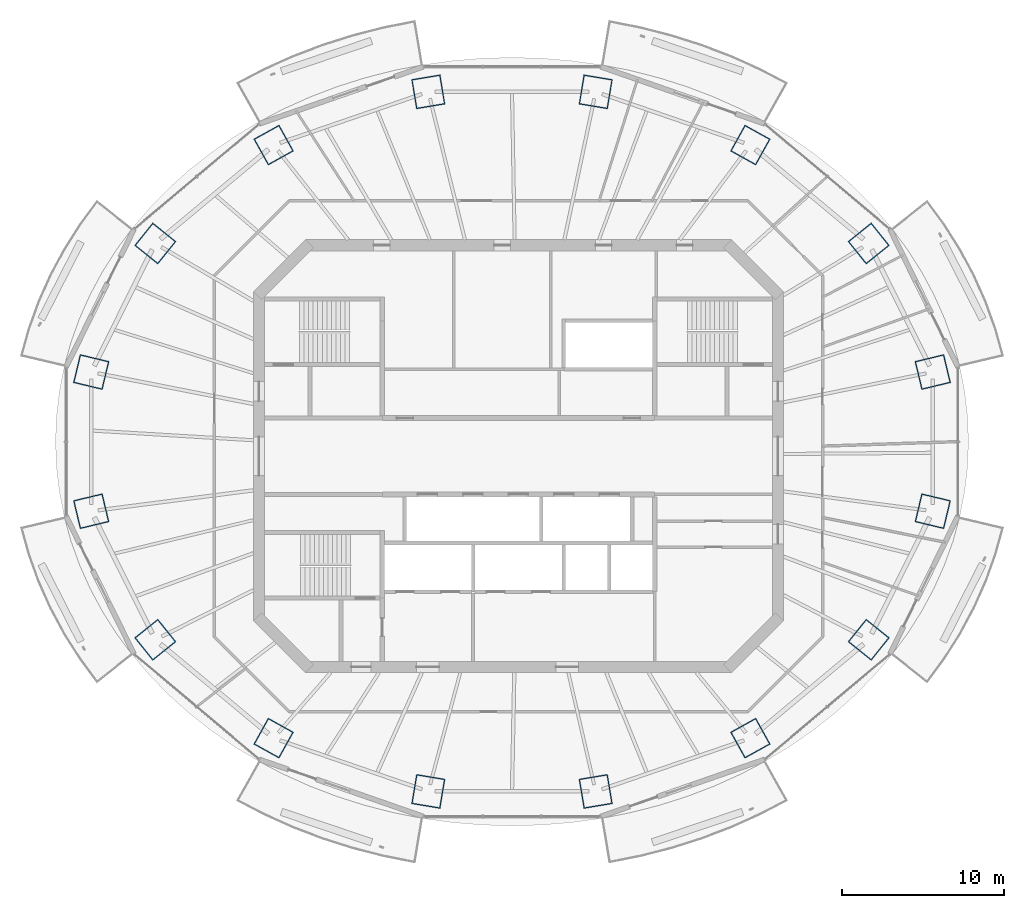
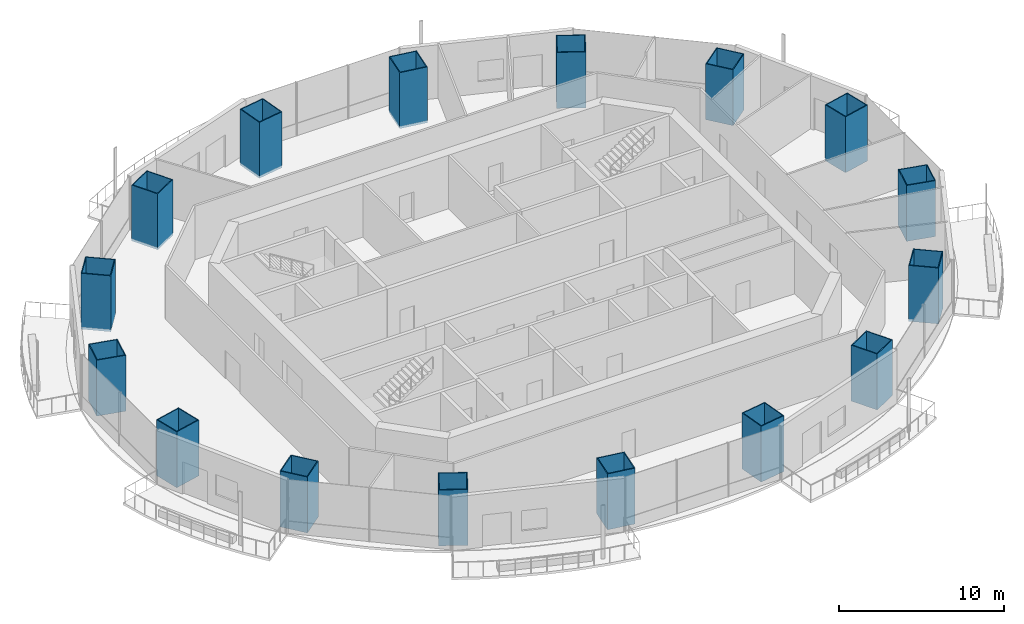
# One storey, part 1 of 16: 16 columns.
"""IFC4 building model written with IfcOpenShell, lengths in metres."""

from ifc_helpers import new_model, si_unit, direction, frame, origin, origin_2d, place, context, subcontext, project, spatial, rectangle, hollow_rectangle, extrude, material, material_profile, profile_set, type_object, element, save


model = new_model("IFC4")

# Units and contexts
model_context = context("Model", 3, precision=1e-05, world=origin(), true_north=direction((0.0, 1.0)))
body_context = subcontext(model_context, "Body", "Model", "MODEL_VIEW")
ifc_project = project(units=[si_unit("LENGTHUNIT", "METRE"), si_unit("AREAUNIT", "SQUARE_METRE"), si_unit("VOLUMEUNIT", "CUBIC_METRE"), si_unit("PLANEANGLEUNIT", "RADIAN"), si_unit("MASSUNIT", "GRAM", prefix="KILO")], contexts=[model_context])

# Site, building, storey
site_placement = place(None, origin())
site = spatial("IfcSite", under=ifc_project, at=site_placement, CompositionType="ELEMENT")
building_placement = place(site_placement, origin())
building = spatial("IfcBuilding", under=site, at=building_placement, Name="Marenthal Gate Tower", CompositionType="ELEMENT")
storey_placement = place(building_placement, frame((0.0, 0.0, 309.39990234375)))
storey = spatial("IfcBuildingStorey", under=building, at=storey_placement, Name="L69", CompositionType="ELEMENT", Elevation=309.39990234375)

# Columns
ifc_material_1 = material(Name="Steel S460", Category="steel")
ifc_material_profile_1 = material_profile(ifc_material_1, hollow_rectangle(XDim=1.800048828125, YDim=1.85009765625, WallThickness=0.06005859375, at=origin_2d()), Name="CFT BOX 1850X1800X60")
ifc_material_2 = material(Name="Concrete 70 MPa", Category="concrete")
ifc_material_profile_2 = material_profile(ifc_material_2, rectangle(XDim=1.679931640625, YDim=1.72998046875, at=origin_2d()), Name="CFT BOX 1850X1800X60 INFILL")
ifc_profile_set = profile_set([ifc_material_profile_1, ifc_material_profile_2], Name="Steel S460 shell, Concrete 70 MPa infill")
column_type = type_object("IfcColumnType", Name="CFT BOX 1850X1800X60", PredefinedType="COLUMN", material=ifc_profile_set)
for number, where, z_axis, x_axis, name in (
    (1, (25.545654296875, 5.1904296875, -0.179931640625), (0.0, 0.0, 1.0), (0.232701963435, -0.97254809455, 0.0), "COL-L69-01"),
    (2, (21.595703125, 13.1181640625, -0.179931640625), (0.0, 0.0, 1.0), (0.626474583624, -0.779441849065, 0.0), "COL-L69-02"),
    (3, (14.297119140625, 19.185791015625, -0.179931640625), (0.0, 0.0, 1.0), (0.874186127954, -0.485590994245, 0.0), "COL-L69-03"),
    (4, (4.760986328125, 22.469482421875, -0.179931640625), (0.0, 0.0, 1.0), (0.986601791343, -0.163146882654, 0.0), "COL-L69-04"),
    (5, (-5.560791015625, 22.469482421875, -0.179931640625), (0.0, 0.0, 1.0), (0.986601791343, 0.163146882654, 0.0), "COL-L69-05"),
    (6, (-15.09716796875, 19.185791015625, -0.179931640625), (0.0, 0.0, 1.0), (0.874186127954, 0.485590994245, 0.0), "COL-L69-06"),
    (7, (-22.395751953125, 13.1181640625, -0.179931640625), (0.0, 0.0, 1.0), (0.626474583624, 0.779441849065, 0.0), "COL-L69-07"),
    (8, (-26.345703125, 5.1904296875, -0.179931640625), (0.0, 0.0, 1.0), (0.232701963435, 0.97254809455, 0.0), "COL-L69-08"),
    (9, (-26.345703125, -3.390380859375, -0.179931640625), (0.0, 0.0, 1.0), (-0.232701963435, 0.97254809455, 0.0), "COL-L69-09"),
    (10, (-22.395751953125, -11.318115234375, -0.179931640625), (0.0, 0.0, 1.0), (-0.626474583624, 0.779441849065, 0.0), "COL-L69-10"),
    (11, (-15.09716796875, -17.3857421875, -0.179931640625), (0.0, 0.0, 1.0), (-0.874186127954, 0.485590994245, 0.0), "COL-L69-11"),
    (12, (-5.560791015625, -20.66943359375, -0.179931640625), (0.0, 0.0, 1.0), (-0.986601791343, 0.163146882654, 0.0), "COL-L69-12"),
    (13, (4.760986328125, -20.66943359375, -0.179931640625), (0.0, 0.0, 1.0), (-0.986601791343, -0.163146882654, 0.0), "COL-L69-13"),
    (14, (14.297119140625, -17.3857421875, -0.179931640625), (0.0, 0.0, 1.0), (-0.874186127954, -0.485590994245, 0.0), "COL-L69-14"),
    (15, (21.595703125, -11.318115234375, -0.179931640625), (0.0, 0.0, 1.0), (-0.626474583624, -0.779441849065, 0.0), "COL-L69-15"),
    (16, (25.545654296875, -3.390380859375, -0.179931640625), (0.0, 0.0, 1.0), (-0.232701963435, -0.97254809455, 0.0), "COL-L69-16"),
):
    element("IfcColumn", number, at=place(storey_placement, frame(where, z_axis=z_axis, x_axis=x_axis)), inside=storey, type_object=column_type, Name=name, PredefinedType="COLUMN", context=body_context, shape_type="SweptSolid", body=[
        extrude(hollow_rectangle(XDim=1.800048828125, YDim=1.85009765625, WallThickness=0.06005859375, at=origin_2d()), origin(), (0.0, 0.0, 1.0), 4.150146484375),
    ])

save(model, "model.ifc")
